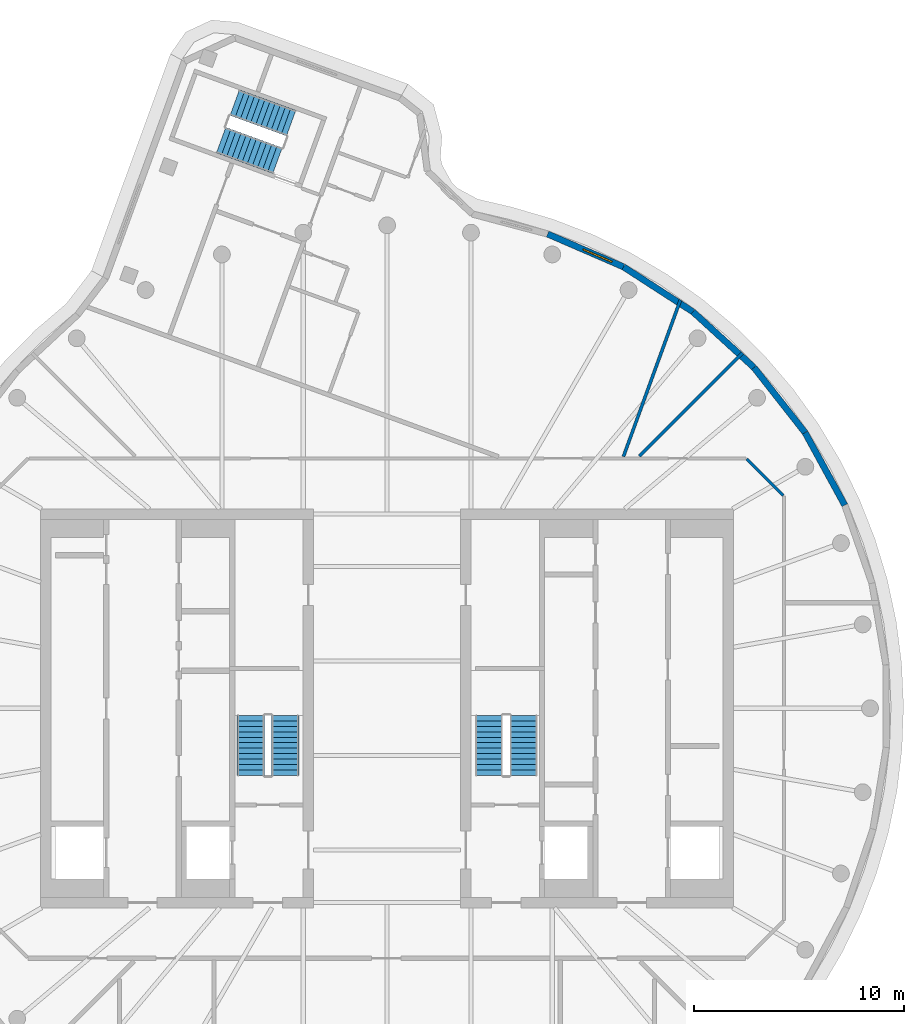
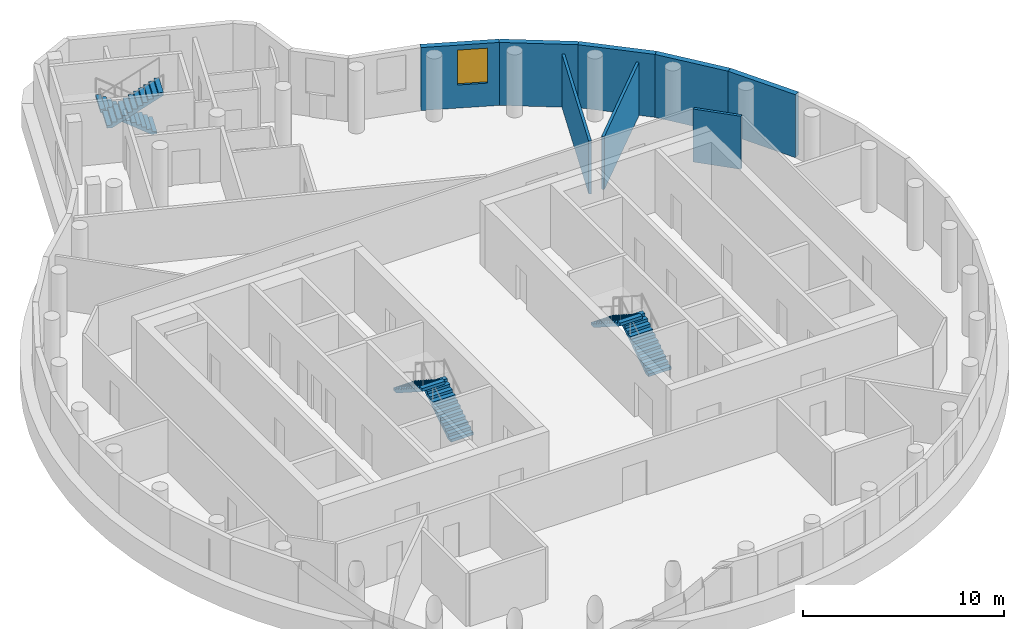
# One storey, part 6 of 7: 8 walls, 6 stair flights, 1 window, 1 opening, 3 elements without a shape of their own.
"""IFC4 building model written with IfcOpenShell, lengths in metres."""

from ifc_helpers import new_model, si_unit, direction, frame, frame_2d, origin, place, context, subcontext, project, spatial, polyline, rectangle, outline, extrude, material, layer, layer_set, type_object, element, fill, aggregate, save


model = new_model("IFC4")

# Units and contexts
model_context = context("Model", 3, precision=1e-05, world=origin(), true_north=direction((0.0, 1.0)))
body_context = subcontext(model_context, "Body", "Model", "MODEL_VIEW")
ifc_project = project(units=[si_unit("LENGTHUNIT", "METRE"), si_unit("AREAUNIT", "SQUARE_METRE"), si_unit("VOLUMEUNIT", "CUBIC_METRE"), si_unit("PLANEANGLEUNIT", "RADIAN"), si_unit("MASSUNIT", "GRAM", prefix="KILO")], contexts=[model_context])

# Site, building, storey
site_placement = place(None, origin())
site = spatial("IfcSite", under=ifc_project, at=site_placement, CompositionType="ELEMENT")
building_placement = place(site_placement, origin())
building = spatial("IfcBuilding", under=site, at=building_placement, Name="Tamarind Cross Interchange Tower", CompositionType="ELEMENT")
storey_placement = place(building_placement, frame((0.0, 0.0, 309.39990234375)))
storey = spatial("IfcBuildingStorey", under=building, at=storey_placement, Name="L76", CompositionType="ELEMENT", Elevation=309.39990234375)

# Walls
ifc_material_1 = material(Name="Gypsum board partition on steel studs", Category="steel")
ifc_layer_1 = layer(ifc_material_1, 0.14990234375)
ifc_layer_set_1 = layer_set([ifc_layer_1], Name="Gypsum board partition on steel studs")
wall_type_1 = type_object("IfcWallType", Name="Partition 150 mm EI 120", PredefinedType="PARTITIONING", material=ifc_layer_set_1)
wall_1_placement = place(storey_placement, frame((17.12841796875, 11.87158203125, 0.0), z_axis=(0.0, 0.0, 1.0), x_axis=(0.707106781187, -0.707106781187, 0.0)))
element("IfcWall", 1, at=wall_1_placement, inside=storey, type_object=wall_type_1, Name="Partition L76-004", PredefinedType="PARTITIONING", context=body_context, shape_type="SweptSolid", body=[
    extrude(rectangle(XDim=2.465087890625, YDim=0.14990234375, at=frame_2d((1.232421875, 0.0))), origin(), (0.0, 0.0, 1.0), 3.22021484375),
])
wall_2_placement = place(storey_placement, frame((12.009521484375, 12.009521484375, 0.0), z_axis=(0.0, 0.0, 1.0), x_axis=(0.707106781187, 0.707106781187, 0.0)))
element("IfcWall", 2, at=wall_2_placement, inside=storey, type_object=wall_type_1, Name="Partition L76-021", PredefinedType="PARTITIONING", context=body_context, shape_type="SweptSolid", body=[
    extrude(rectangle(XDim=6.954345703125, YDim=0.14990234375, at=frame_2d((3.47705078125, 0.0))), origin(), (0.0, 0.0, 1.0), 3.22021484375),
])
wall_3_placement = place(storey_placement, frame((11.25390625, 11.984619140625, 0.0), z_axis=(0.0, 0.0, 1.0), x_axis=(0.341898627175, 0.93973684015, 0.0)))
element("IfcWall", 3, at=wall_3_placement, inside=storey, type_object=wall_type_1, Name="Partition L76-031", PredefinedType="PARTITIONING", context=body_context, shape_type="SweptSolid", body=[
    extrude(rectangle(XDim=7.938232421875, YDim=0.14990234375, at=frame_2d((3.96923828125, 0.0))), origin(), (0.0, 0.0, 1.0), 3.22021484375),
])
ifc_material_2 = material(Name="Precast concrete C40", Category="concrete")
ifc_layer_2 = layer(ifc_material_2, 0.300048828125)
ifc_layer_set_2 = layer_set([ifc_layer_2], Name="Precast concrete C40")
wall_type_2 = type_object("IfcWallType", Name="Plant louvre wall", PredefinedType="SOLIDWALL", material=ifc_layer_set_2)
wall_4_placement = place(storey_placement, frame((21.7958984375, 9.672607421875, 0.0), z_axis=(0.0, 0.0, 1.0), x_axis=(-0.479742253376, 0.877409465601, 0.0)))
element("IfcWall", 4, at=wall_4_placement, inside=storey, type_object=wall_type_2, Name="EXW-L76-02-28", PredefinedType="SOLIDWALL", context=body_context, shape_type="SweptSolid", body=[
    extrude(rectangle(XDim=3.9384765625, YDim=0.300048828125, at=frame_2d((1.96923828125, 0.0))), origin(), (0.0, 0.0, 1.0), 3.820068359375),
])
wall_5_placement = place(storey_placement, frame((19.906494140625, 13.128173828125, 0.0), z_axis=(0.0, 0.0, 1.0), x_axis=(-0.617577851206, 0.786509756901, 0.0)))
element("IfcWall", 5, at=wall_5_placement, inside=storey, type_object=wall_type_2, Name="EXW-L76-02-29", PredefinedType="SOLIDWALL", context=body_context, shape_type="SweptSolid", body=[
    extrude(rectangle(XDim=3.938232421875, YDim=0.300048828125, at=frame_2d((1.96923828125, 0.0))), origin(), (0.0, 0.0, 1.0), 3.820068359375),
])
wall_6_placement = place(storey_placement, frame((17.474365234375, 16.2255859375, 0.0), z_axis=(0.0, 0.0, 1.0), x_axis=(-0.738634435884, 0.674106200926, 0.0)))
element("IfcWall", 6, at=wall_6_placement, inside=storey, type_object=wall_type_2, Name="EXW-L76-02-30", PredefinedType="SOLIDWALL", context=body_context, shape_type="SweptSolid", body=[
    extrude(rectangle(XDim=3.9384765625, YDim=0.300048828125, at=frame_2d((1.96923828125, 0.0))), origin(), (0.0, 0.0, 1.0), 3.820068359375),
])
wall_7_placement = place(storey_placement, frame((14.565185546875, 18.880615234375, 0.0), z_axis=(0.0, 0.0, 1.0), x_axis=(-0.839498632024, 0.54336180104, 0.0)))
element("IfcWall", 7, at=wall_7_placement, inside=storey, type_object=wall_type_2, Name="EXW-L76-02-31", PredefinedType="SOLIDWALL", context=body_context, shape_type="SweptSolid", body=[
    extrude(rectangle(XDim=3.938232421875, YDim=0.300048828125, at=frame_2d((1.96923828125, 0.0))), origin(), (0.0, 0.0, 1.0), 3.820068359375),
])

# Wall, opening, window
wall_8_placement = place(storey_placement, frame((11.259033203125, 21.0205078125, 0.0), z_axis=(0.0, 0.0, 1.0), x_axis=(-0.917505110173, 0.397723990735, 0.0)))
wall_8 = element("IfcWall", 8, at=wall_8_placement, inside=storey, type_object=wall_type_2, Name="EXW-L76-02-32", PredefinedType="SOLIDWALL", context=body_context, shape_type="SweptSolid", body=[
    extrude(rectangle(XDim=3.9384765625, YDim=0.300048828125, at=frame_2d((1.96923828125, 0.0))), origin(), (0.0, 0.0, 1.0), 3.820068359375),
])
opening_placement = place(wall_8_placement, frame((0.60009765625, 0.0, 1.39990234375)))
opening = element("IfcOpeningElement", 9, at=opening_placement, cuts=wall_8, Name="Opening W2", PredefinedType="OPENING", context=body_context, shape_type="SweptSolid", body=[
    extrude(rectangle(XDim=1.498291015625, YDim=2.1201171875, at=frame_2d((0.7490234375, 1.06005859375))), frame((0.0, 0.159912109375, 0.0), z_axis=(0.0, -1.0, 0.0), x_axis=(1.0, 0.0, 0.0)), (0.0, 0.0, 1.0), 0.320068359375),
])
ifc_material_3 = material(Name="Aluminium louvre", Category="aluminium")
window_type = type_object("IfcWindowType", Name="Plant louvre bank", PartitioningType="SINGLE_PANEL", PredefinedType="WINDOW", material=ifc_material_3)
window_placement = place(opening_placement, origin())
window = element("IfcWindow", 10, at=window_placement, inside=storey, type_object=window_type, Name="WIN-L76-02-32", OverallHeight=2.1201171875, OverallWidth=1.498291015625, PartitioningType="SINGLE_PANEL", PredefinedType="WINDOW", context=body_context, shape_type="SweptSolid", body=[
    extrude(rectangle(XDim=1.498291015625, YDim=2.1201171875, at=frame_2d((0.7490234375, 1.06005859375))), frame((0.0, 0.030029296875, 0.0), z_axis=(0.0, -1.0, 0.0), x_axis=(1.0, 0.0, 0.0)), (0.0, 0.0, 1.0), 0.06005859375),
])
fill(opening, window)

# Stair, stair flights
ifc_material_4 = material(Name="Exit stair")
stair_type = type_object("IfcStairType", Name="Exit stair", PredefinedType="HALF_TURN_STAIR", material=ifc_material_4)
stair_1_placement = place(storey_placement, origin())
stair_1 = element("IfcStair", 11, at=stair_1_placement, inside=storey, type_object=stair_type, Name="L76 exit stair ST1", PredefinedType="HALF_TURN_STAIR")
ifc_material_5 = material(Name="Exit stair flight")
stair_flight_type = type_object("IfcStairFlightType", Name="Exit stair flight", PredefinedType="STRAIGHT", material=ifc_material_5)
stair_flight_1_placement = place(storey_placement, frame((-4.85009765625, -3.199951171875, 0.0), z_axis=(0.0, 0.0, 1.0), x_axis=(0.0, 1.0, 0.0)))
stair_flight_1 = element("IfcStairFlight", 12, at=stair_flight_1_placement, type_object=stair_flight_type, Name="ST1 flight 1", NumberOfRisers=12, NumberOfTreads=11, PredefinedType="STRAIGHT", RiserHeight=0.166666667, TreadLength=0.26, context=body_context, shape_type="SweptSolid", body=[
    extrude(outline(polyline([(0.0, 0.0), (0.0, 0.166748046875), (0.260009765625, 0.166748046875), (0.260009765625, 0.333251953125), (0.52001953125, 0.333251953125), (0.52001953125, 0.5), (0.780029296875, 0.5), (0.780029296875, 0.666748046875), (1.0400390625, 0.666748046875), (1.0400390625, 0.833251953125), (1.300048828125, 0.833251953125), (1.300048828125, 1.0), (1.56005859375, 1.0), (1.56005859375, 1.166748046875), (1.820068359375, 1.166748046875), (1.820068359375, 1.333251953125), (2.080078125, 1.333251953125), (2.080078125, 1.5), (2.340087890625, 1.5), (2.340087890625, 1.666748046875), (2.60009765625, 1.666748046875), (2.60009765625, 1.833251953125), (2.860107421875, 1.833251953125), (2.860107421875, 2.0), (2.860107421875, 1.6552734375), (0.27783203125, 0.0), (0.0, 0.0)])), frame((0.0, 0.64990234375, 0.0), z_axis=(0.0, -1.0, 0.0), x_axis=(1.0, 0.0, 0.0)), (0.0, 0.0, 1.0), 1.300048828125),
])
stair_flight_2_placement = place(storey_placement, frame((-6.5, -0.340087890625, 2.0), z_axis=(0.0, 0.0, 1.0), x_axis=(0.0, -1.0, 0.0)))
stair_flight_2 = element("IfcStairFlight", 13, at=stair_flight_2_placement, type_object=stair_flight_type, Name="ST1 flight 2", NumberOfRisers=12, NumberOfTreads=11, PredefinedType="STRAIGHT", RiserHeight=0.166666667, TreadLength=0.26, context=body_context, shape_type="SweptSolid", body=[
    extrude(outline(polyline([(0.0, 0.0), (0.0, 0.166748046875), (0.260009765625, 0.166748046875), (0.260009765625, 0.333251953125), (0.52001953125, 0.333251953125), (0.52001953125, 0.5), (0.780029296875, 0.5), (0.780029296875, 0.666748046875), (1.0400390625, 0.666748046875), (1.0400390625, 0.833251953125), (1.300048828125, 0.833251953125), (1.300048828125, 1.0), (1.56005859375, 1.0), (1.56005859375, 1.166748046875), (1.820068359375, 1.166748046875), (1.820068359375, 1.333251953125), (2.080078125, 1.333251953125), (2.080078125, 1.5), (2.340087890625, 1.5), (2.340087890625, 1.666748046875), (2.60009765625, 1.666748046875), (2.60009765625, 1.833251953125), (2.860107421875, 1.833251953125), (2.860107421875, 2.0), (2.860107421875, 1.6552734375), (0.27783203125, 0.0), (0.0, 0.0)])), frame((0.0, 0.64990234375, 0.0), z_axis=(0.0, -1.0, 0.0), x_axis=(1.0, 0.0, 0.0)), (0.0, 0.0, 1.0), 1.300048828125),
])
aggregate(stair_1, [stair_flight_1, stair_flight_2])

stair_2_placement = place(storey_placement, origin())
stair_2 = element("IfcStair", 14, at=stair_2_placement, inside=storey, type_object=stair_type, Name="L76 exit stair ST2", PredefinedType="HALF_TURN_STAIR")
stair_flight_3_placement = place(storey_placement, frame((6.5, -3.199951171875, 0.0), z_axis=(0.0, 0.0, 1.0), x_axis=(0.0, 1.0, 0.0)))
stair_flight_3 = element("IfcStairFlight", 15, at=stair_flight_3_placement, type_object=stair_flight_type, Name="ST2 flight 1", NumberOfRisers=12, NumberOfTreads=11, PredefinedType="STRAIGHT", RiserHeight=0.166666667, TreadLength=0.26, context=body_context, shape_type="SweptSolid", body=[
    extrude(outline(polyline([(0.0, 0.0), (0.0, 0.166748046875), (0.260009765625, 0.166748046875), (0.260009765625, 0.333251953125), (0.52001953125, 0.333251953125), (0.52001953125, 0.5), (0.780029296875, 0.5), (0.780029296875, 0.666748046875), (1.0400390625, 0.666748046875), (1.0400390625, 0.833251953125), (1.300048828125, 0.833251953125), (1.300048828125, 1.0), (1.56005859375, 1.0), (1.56005859375, 1.166748046875), (1.820068359375, 1.166748046875), (1.820068359375, 1.333251953125), (2.080078125, 1.333251953125), (2.080078125, 1.5), (2.340087890625, 1.5), (2.340087890625, 1.666748046875), (2.60009765625, 1.666748046875), (2.60009765625, 1.833251953125), (2.860107421875, 1.833251953125), (2.860107421875, 2.0), (2.860107421875, 1.6552734375), (0.27783203125, 0.0), (0.0, 0.0)])), frame((0.0, 0.64990234375, 0.0), z_axis=(0.0, -1.0, 0.0), x_axis=(1.0, 0.0, 0.0)), (0.0, 0.0, 1.0), 1.300048828125),
])
stair_flight_4_placement = place(storey_placement, frame((4.85009765625, -0.340087890625, 2.0), z_axis=(0.0, 0.0, 1.0), x_axis=(0.0, -1.0, 0.0)))
stair_flight_4 = element("IfcStairFlight", 16, at=stair_flight_4_placement, type_object=stair_flight_type, Name="ST2 flight 2", NumberOfRisers=12, NumberOfTreads=11, PredefinedType="STRAIGHT", RiserHeight=0.166666667, TreadLength=0.26, context=body_context, shape_type="SweptSolid", body=[
    extrude(outline(polyline([(0.0, 0.0), (0.0, 0.166748046875), (0.260009765625, 0.166748046875), (0.260009765625, 0.333251953125), (0.52001953125, 0.333251953125), (0.52001953125, 0.5), (0.780029296875, 0.5), (0.780029296875, 0.666748046875), (1.0400390625, 0.666748046875), (1.0400390625, 0.833251953125), (1.300048828125, 0.833251953125), (1.300048828125, 1.0), (1.56005859375, 1.0), (1.56005859375, 1.166748046875), (1.820068359375, 1.166748046875), (1.820068359375, 1.333251953125), (2.080078125, 1.333251953125), (2.080078125, 1.5), (2.340087890625, 1.5), (2.340087890625, 1.666748046875), (2.60009765625, 1.666748046875), (2.60009765625, 1.833251953125), (2.860107421875, 1.833251953125), (2.860107421875, 2.0), (2.860107421875, 1.6552734375), (0.27783203125, 0.0), (0.0, 0.0)])), frame((0.0, 0.64990234375, 0.0), z_axis=(0.0, -1.0, 0.0), x_axis=(1.0, 0.0, 0.0)), (0.0, 0.0, 1.0), 1.300048828125),
])
aggregate(stair_2, [stair_flight_3, stair_flight_4])

stair_3_placement = place(storey_placement, origin())
stair_3 = element("IfcStair", 17, at=stair_3_placement, inside=storey, type_object=stair_type, Name="L76 exit stair ST4", PredefinedType="HALF_TURN_STAIR")
stair_flight_5_placement = place(storey_placement, frame((-4.5693359375, 27.866455078125, 0.0), z_axis=(0.0, 0.0, 1.0), x_axis=(-0.939702171424, 0.341993902024, 0.0)))
stair_flight_5 = element("IfcStairFlight", 18, at=stair_flight_5_placement, type_object=stair_flight_type, Name="ST4 flight 1", NumberOfRisers=12, NumberOfTreads=11, PredefinedType="STRAIGHT", RiserHeight=0.166666667, TreadLength=0.26, context=body_context, shape_type="SweptSolid", body=[
    extrude(outline(polyline([(0.0, 0.0), (0.0, 0.166748046875), (0.260009765625, 0.166748046875), (0.260009765625, 0.333251953125), (0.52001953125, 0.333251953125), (0.52001953125, 0.5), (0.780029296875, 0.5), (0.780029296875, 0.666748046875), (1.0400390625, 0.666748046875), (1.0400390625, 0.833251953125), (1.300048828125, 0.833251953125), (1.300048828125, 1.0), (1.56005859375, 1.0), (1.56005859375, 1.166748046875), (1.820068359375, 1.166748046875), (1.820068359375, 1.333251953125), (2.080078125, 1.333251953125), (2.080078125, 1.5), (2.340087890625, 1.5), (2.340087890625, 1.666748046875), (2.60009765625, 1.666748046875), (2.60009765625, 1.833251953125), (2.860107421875, 1.833251953125), (2.860107421875, 2.0), (2.860107421875, 1.6552734375), (0.27783203125, 0.0), (0.0, 0.0)])), frame((0.0, 0.64990234375, 0.0), z_axis=(0.0, -1.0, 0.0), x_axis=(1.0, 0.0, 0.0)), (0.0, 0.0, 1.0), 1.300048828125),
])
stair_flight_6_placement = place(storey_placement, frame((-7.906494140625, 27.05908203125, 2.0), z_axis=(0.0, 0.0, 1.0), x_axis=(0.939702171424, -0.341993902024, 0.0)))
stair_flight_6 = element("IfcStairFlight", 19, at=stair_flight_6_placement, type_object=stair_flight_type, Name="ST4 flight 2", NumberOfRisers=12, NumberOfTreads=11, PredefinedType="STRAIGHT", RiserHeight=0.166666667, TreadLength=0.26, context=body_context, shape_type="SweptSolid", body=[
    extrude(outline(polyline([(0.0, 0.0), (0.0, 0.166748046875), (0.260009765625, 0.166748046875), (0.260009765625, 0.333251953125), (0.52001953125, 0.333251953125), (0.52001953125, 0.5), (0.780029296875, 0.5), (0.780029296875, 0.666748046875), (1.0400390625, 0.666748046875), (1.0400390625, 0.833251953125), (1.300048828125, 0.833251953125), (1.300048828125, 1.0), (1.56005859375, 1.0), (1.56005859375, 1.166748046875), (1.820068359375, 1.166748046875), (1.820068359375, 1.333251953125), (2.080078125, 1.333251953125), (2.080078125, 1.5), (2.340087890625, 1.5), (2.340087890625, 1.666748046875), (2.60009765625, 1.666748046875), (2.60009765625, 1.833251953125), (2.860107421875, 1.833251953125), (2.860107421875, 2.0), (2.860107421875, 1.6552734375), (0.27783203125, 0.0), (0.0, 0.0)])), frame((0.0, 0.64990234375, 0.0), z_axis=(0.0, -1.0, 0.0), x_axis=(1.0, 0.0, 0.0)), (0.0, 0.0, 1.0), 1.300048828125),
])
aggregate(stair_3, [stair_flight_5, stair_flight_6])

save(model, "model.ifc")
